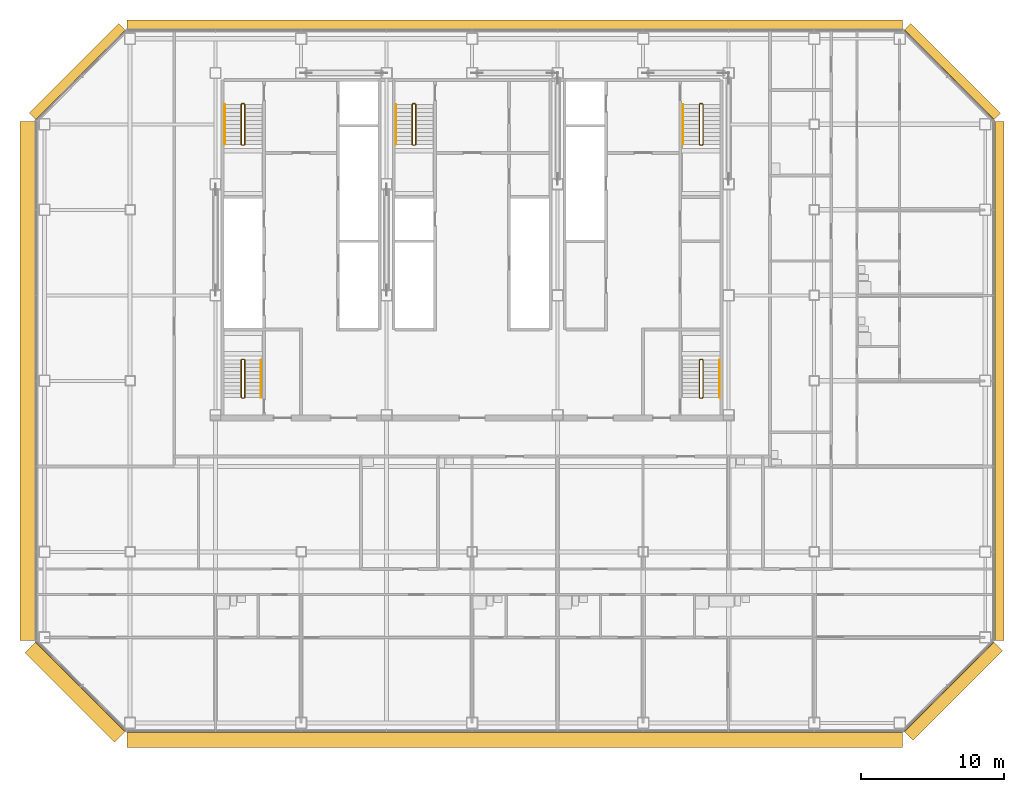
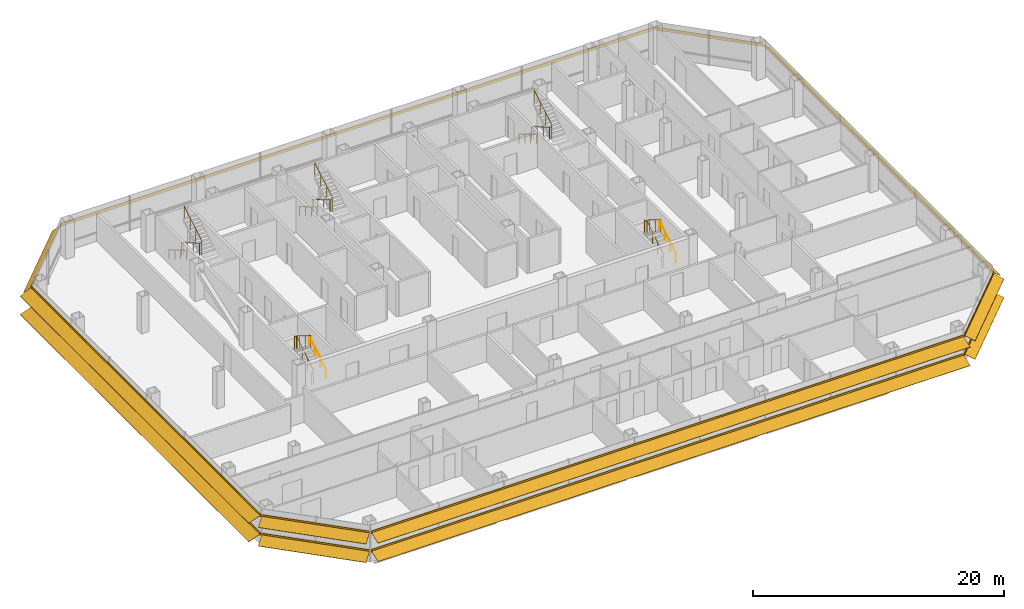
# One storey, part 25 of 26: 10 railings, 8 shading devices.
"""IFC4 building model written with IfcOpenShell, lengths in metres."""

from ifc_helpers import new_model, si_unit, direction, frame, origin, origin_2d, place, context, subcontext, project, spatial, polyline, circle, outline, composite_profile, extrude, material, type_object, element, save


model = new_model("IFC4")

# Units and contexts
model_context = context("Model", 3, precision=1e-05, world=origin(), true_north=direction((0.0, 1.0)))
body_context = subcontext(model_context, "Body", "Model", "MODEL_VIEW")
ifc_project = project(units=[si_unit("LENGTHUNIT", "METRE"), si_unit("AREAUNIT", "SQUARE_METRE"), si_unit("VOLUMEUNIT", "CUBIC_METRE"), si_unit("PLANEANGLEUNIT", "RADIAN"), si_unit("MASSUNIT", "GRAM", prefix="KILO")], contexts=[model_context])

# Site, building, storey
site_placement = place(None, origin())
site = spatial("IfcSite", under=ifc_project, at=site_placement, CompositionType="ELEMENT")
building_placement = place(site_placement, origin())
building = spatial("IfcBuilding", under=site, at=building_placement, Name="Sorahane Residences", CompositionType="ELEMENT")
storey_placement = place(building_placement, frame((0.0, 0.0, 110.60009765625)))
storey = spatial("IfcBuildingStorey", under=building, at=storey_placement, Name="L24", CompositionType="ELEMENT", Elevation=110.60009765625)

# Shading devices
ifc_material_1 = material(Name="Terracotta anodised aluminium", Category="masonry")
shading_device_type_1 = type_object("IfcShadingDeviceType", Name="Louvre sunshade blade E terracotta aluminium 700", PredefinedType="JALOUSIE", material=ifc_material_1)
shading_device_1_placement = place(storey_placement, frame((60.60009765625, 5.801513671875, 2.699951171875), z_axis=(0.0, 1.0, 0.0), x_axis=(-1.0, 0.0, 0.0)))
element("IfcShadingDevice", 1, at=shading_device_1_placement, inside=storey, type_object=shading_device_type_1, Name="Louvre sunshade blade bank E L24 E1", PredefinedType="JALOUSIE", context=body_context, shape_type="SweptSolid", body=[
    extrude(outline(polyline([(-0.719970703125, -0.49365234375), (-0.719970703125, -0.523681640625), (-0.080078125, -0.05859375), (-0.080078125, -0.14990234375), (-0.02001953125, -0.14990234375), (-0.02001953125, -0.014892578125), (-0.02001953125, 0.014892578125), (-0.02001953125, 0.14990234375), (-0.080078125, 0.14990234375), (-0.080078125, -0.028564453125), (-0.719970703125, -0.49365234375)])), origin(), (0.0, 0.0, 1.0), 36.39697265625),
])
ifc_material_2 = material(Name="Terracotta anodised aluminium", Category="masonry")
shading_device_type_2 = type_object("IfcShadingDeviceType", Name="Louvre sunshade blade N terracotta aluminium 700", PredefinedType="JALOUSIE", material=ifc_material_2)
shading_device_2_placement = place(storey_placement, frame((54.198486328125, 48.60009765625, 2.699951171875), z_axis=(-1.0, 0.0, 0.0), x_axis=(0.0, -1.0, 0.0)))
element("IfcShadingDevice", 2, at=shading_device_2_placement, inside=storey, type_object=shading_device_type_2, Name="Louvre sunshade blade bank N L24 N1", PredefinedType="JALOUSIE", context=body_context, shape_type="SweptSolid", body=[
    extrude(outline(polyline([(-0.719970703125, -0.660888671875), (-0.719970703125, -0.69091796875), (-0.080078125, -0.072998046875), (-0.080078125, -0.14990234375), (-0.02001953125, -0.14990234375), (-0.02001953125, -0.014892578125), (-0.02001953125, 0.014892578125), (-0.02001953125, 0.14990234375), (-0.080078125, 0.14990234375), (-0.080078125, -0.04296875), (-0.719970703125, -0.660888671875)])), origin(), (0.0, 0.0, 1.0), 54.39697265625),
])
ifc_material_3 = material(Name="Terracotta anodised aluminium", Category="masonry")
shading_device_type_3 = type_object("IfcShadingDeviceType", Name="Louvre sunshade blade NE terracotta aluminium 700", PredefinedType="JALOUSIE", material=ifc_material_3)
shading_device_3_placement = place(storey_placement, frame((60.564697265625, 42.283935546875, 2.699951171875), z_axis=(-0.707106781187, 0.707106781187, 0.0), x_axis=(-0.707106781187, -0.707106781187, 0.0)))
element("IfcShadingDevice", 3, at=shading_device_3_placement, inside=storey, type_object=shading_device_type_3, Name="Louvre sunshade blade bank NE L24 NE1", PredefinedType="JALOUSIE", context=body_context, shape_type="SweptSolid", body=[
    extrude(outline(polyline([(-0.719970703125, -0.572509765625), (-0.719970703125, -0.602294921875), (-0.080078125, -0.065185546875), (-0.080078125, -0.14990234375), (-0.02001953125, -0.14990234375), (-0.02001953125, -0.014892578125), (-0.02001953125, 0.014892578125), (-0.02001953125, 0.14990234375), (-0.080078125, 0.14990234375), (-0.080078125, -0.035400390625), (-0.719970703125, -0.572509765625)])), origin(), (0.0, 0.0, 1.0), 8.88232421875),
])
ifc_material_4 = material(Name="Terracotta anodised aluminium", Category="masonry")
shading_device_type_4 = type_object("IfcShadingDeviceType", Name="Louvre sunshade blade NW terracotta aluminium 700", PredefinedType="JALOUSIE", material=ifc_material_4)
shading_device_4_placement = place(storey_placement, frame((-0.283935546875, 48.564697265625, 2.699951171875), z_axis=(-0.707106781187, -0.707106781187, 0.0), x_axis=(0.707106781187, -0.707106781187, 0.0)))
element("IfcShadingDevice", 4, at=shading_device_4_placement, inside=storey, type_object=shading_device_type_4, Name="Louvre sunshade blade bank NW L24 NW1", PredefinedType="JALOUSIE", context=body_context, shape_type="SweptSolid", body=[
    extrude(outline(polyline([(-0.719970703125, -0.660888671875), (-0.719970703125, -0.69091796875), (-0.080078125, -0.072998046875), (-0.080078125, -0.14990234375), (-0.02001953125, -0.14990234375), (-0.02001953125, -0.014892578125), (-0.02001953125, 0.014892578125), (-0.02001953125, 0.14990234375), (-0.080078125, 0.14990234375), (-0.080078125, -0.04296875), (-0.719970703125, -0.660888671875)])), origin(), (0.0, 0.0, 1.0), 8.88232421875),
])
ifc_material_5 = material(Name="Terracotta anodised aluminium", Category="masonry")
shading_device_type_5 = type_object("IfcShadingDeviceType", Name="Louvre sunshade blade S terracotta aluminium 1100", PredefinedType="JALOUSIE", material=ifc_material_5)
shading_device_5_placement = place(storey_placement, frame((-0.198486328125, -0.60009765625, 0.89990234375), z_axis=(1.0, 0.0, 0.0), x_axis=(0.0, 1.0, 0.0)))
element("IfcShadingDevice", 5, at=shading_device_5_placement, inside=storey, type_object=shading_device_type_5, Name="Louvre sunshade blade bank S L24 S1", PredefinedType="JALOUSIE", context=body_context, shape_type="SweptSolid", body=[
    extrude(composite_profile([outline(polyline([(-1.1201171875, -0.385498046875), (-1.1201171875, -0.415283203125), (-0.080078125, -0.036865234375), (-0.080078125, -0.14990234375), (-0.02001953125, -0.14990234375), (-0.02001953125, -0.014892578125), (-0.02001953125, 0.014892578125), (-0.02001953125, 0.14990234375), (-0.080078125, 0.14990234375), (-0.080078125, -0.0068359375), (-1.1201171875, -0.385498046875)])), outline(polyline([(-1.1201171875, 1.41455078125), (-1.1201171875, 1.384521484375), (-0.080078125, 1.76318359375), (-0.080078125, 1.64990234375), (-0.02001953125, 1.64990234375), (-0.02001953125, 1.784912109375), (-0.02001953125, 1.81494140625), (-0.02001953125, 1.949951171875), (-0.080078125, 1.949951171875), (-0.080078125, 1.793212890625), (-1.1201171875, 1.41455078125)]))]), origin(), (0.0, 0.0, 1.0), 54.39697265625),
])
ifc_material_6 = material(Name="Terracotta anodised aluminium", Category="masonry")
shading_device_type_6 = type_object("IfcShadingDeviceType", Name="Louvre sunshade blade SE terracotta aluminium 900", PredefinedType="JALOUSIE", material=ifc_material_6)
shading_device_6_placement = place(storey_placement, frame((54.283935546875, -0.564697265625, 0.89990234375), z_axis=(0.707106781187, 0.707106781187, 0.0), x_axis=(-0.707106781187, 0.707106781187, 0.0)))
element("IfcShadingDevice", 6, at=shading_device_6_placement, inside=storey, type_object=shading_device_type_6, Name="Louvre sunshade blade bank SE L24 SE1", PredefinedType="JALOUSIE", context=body_context, shape_type="SweptSolid", body=[
    extrude(composite_profile([outline(polyline([(-0.919921875, -0.3486328125), (-0.919921875, -0.378662109375), (-0.080078125, -0.039306640625), (-0.080078125, -0.14990234375), (-0.02001953125, -0.14990234375), (-0.02001953125, -0.014892578125), (-0.02001953125, 0.014892578125), (-0.02001953125, 0.14990234375), (-0.080078125, 0.14990234375), (-0.080078125, -0.00927734375), (-0.919921875, -0.3486328125)])), outline(polyline([(-0.919921875, 1.451416015625), (-0.919921875, 1.42138671875), (-0.080078125, 1.7607421875), (-0.080078125, 1.64990234375), (-0.02001953125, 1.64990234375), (-0.02001953125, 1.784912109375), (-0.02001953125, 1.81494140625), (-0.02001953125, 1.949951171875), (-0.080078125, 1.949951171875), (-0.080078125, 1.790771484375), (-0.919921875, 1.451416015625)]))]), origin(), (0.0, 0.0, 1.0), 8.88232421875),
])
ifc_material_7 = material(Name="Terracotta anodised aluminium", Category="masonry")
shading_device_type_7 = type_object("IfcShadingDeviceType", Name="Louvre sunshade blade SW terracotta aluminium 1100", PredefinedType="JALOUSIE", material=ifc_material_7)
shading_device_7_placement = place(storey_placement, frame((-6.564697265625, 5.716064453125, 0.89990234375), z_axis=(0.707106781187, -0.707106781187, 0.0), x_axis=(0.707106781187, 0.707106781187, 0.0)))
element("IfcShadingDevice", 7, at=shading_device_7_placement, inside=storey, type_object=shading_device_type_7, Name="Louvre sunshade blade bank SW L24 SW1", PredefinedType="JALOUSIE", context=body_context, shape_type="SweptSolid", body=[
    extrude(composite_profile([outline(polyline([(-1.1201171875, -0.385498046875), (-1.1201171875, -0.415283203125), (-0.080078125, -0.036865234375), (-0.080078125, -0.14990234375), (-0.02001953125, -0.14990234375), (-0.02001953125, -0.014892578125), (-0.02001953125, 0.014892578125), (-0.02001953125, 0.14990234375), (-0.080078125, 0.14990234375), (-0.080078125, -0.0068359375), (-1.1201171875, -0.385498046875)])), outline(polyline([(-1.1201171875, 1.41455078125), (-1.1201171875, 1.384521484375), (-0.080078125, 1.76318359375), (-0.080078125, 1.64990234375), (-0.02001953125, 1.64990234375), (-0.02001953125, 1.784912109375), (-0.02001953125, 1.81494140625), (-0.02001953125, 1.949951171875), (-0.080078125, 1.949951171875), (-0.080078125, 1.793212890625), (-1.1201171875, 1.41455078125)]))]), origin(), (0.0, 0.0, 1.0), 8.88232421875),
])
ifc_material_8 = material(Name="Terracotta anodised aluminium", Category="masonry")
shading_device_type_8 = type_object("IfcShadingDeviceType", Name="Louvre sunshade blade W terracotta aluminium 1100", PredefinedType="JALOUSIE", material=ifc_material_8)
shading_device_8_placement = place(storey_placement, frame((-6.60009765625, 42.198486328125, 0.89990234375), z_axis=(0.0, -1.0, 0.0), x_axis=(1.0, 0.0, 0.0)))
element("IfcShadingDevice", 8, at=shading_device_8_placement, inside=storey, type_object=shading_device_type_8, Name="Louvre sunshade blade bank W L24 W1", PredefinedType="JALOUSIE", context=body_context, shape_type="SweptSolid", body=[
    extrude(composite_profile([outline(polyline([(-1.1201171875, -0.385498046875), (-1.1201171875, -0.415283203125), (-0.080078125, -0.036865234375), (-0.080078125, -0.14990234375), (-0.02001953125, -0.14990234375), (-0.02001953125, -0.014892578125), (-0.02001953125, 0.014892578125), (-0.02001953125, 0.14990234375), (-0.080078125, 0.14990234375), (-0.080078125, -0.0068359375), (-1.1201171875, -0.385498046875)])), outline(polyline([(-1.1201171875, 1.41455078125), (-1.1201171875, 1.384521484375), (-0.080078125, 1.76318359375), (-0.080078125, 1.64990234375), (-0.02001953125, 1.64990234375), (-0.02001953125, 1.784912109375), (-0.02001953125, 1.81494140625), (-0.02001953125, 1.949951171875), (-0.080078125, 1.949951171875), (-0.080078125, 1.793212890625), (-1.1201171875, 1.41455078125)]))]), origin(), (0.0, 0.0, 1.0), 36.39697265625),
])

# Railings
ifc_material_9 = material(Name="Steel Q355B", Category="steel")
railing_type_1 = type_object("IfcRailingType", Name="Stair guard 1200 Steel Q355B", PredefinedType="GUARDRAIL", material=ifc_material_9)
railing_1_placement = place(storey_placement, frame((8.0, 43.449951171875, 0.0)))
element("IfcRailing", 9, at=railing_1_placement, inside=storey, type_object=railing_type_1, Name="L24 S1 stair guard 1", PredefinedType="GUARDRAIL", context=body_context, shape_type="SweptSolid", body=[
    extrude(circle(Radius=0.02392578125, at=origin_2d()), frame((0.0, 0.0, 1.17578125), z_axis=(-1.0, 0.0, 0.0), x_axis=(0.0, -1.0, 0.0)), (0.0, 0.0, 1.0), 0.14990234375),
    extrude(circle(Radius=0.02392578125, at=origin_2d()), frame((-0.14990234375, 0.0, 1.17578125), z_axis=(-0.280808744504, -0.280808744504, 0.917765164963), x_axis=(0.707106781187, -0.707106781187, 0.0)), (0.0, 0.0, 1.0), 0.17822265625),
    extrude(circle(Radius=0.02392578125, at=origin_2d()), frame((-0.199951171875, -0.050048828125, 1.33935546875), z_axis=(0.0, -0.863374499697, 0.504563646405), x_axis=(1.0, 0.0, 0.0)), (0.0, 0.0, 1.0), 3.242919921875),
    extrude(circle(Radius=0.02392578125, at=origin_2d()), frame((-0.199951171875, -2.849853515625, 2.9755859375), z_axis=(0.707106781187, -0.707106781187, 0.0), x_axis=(0.707106781187, 0.707106781187, 0.0)), (0.0, 0.0, 1.0), 0.07080078125),
    extrude(circle(Radius=0.02392578125, at=origin_2d()), frame((-0.14990234375, -2.89990234375, 2.9755859375), z_axis=(1.0, 0.0, 0.0), x_axis=(0.0, 1.0, 0.0)), (0.0, 0.0, 1.0), 0.14990234375),
    extrude(circle(Radius=0.02392578125, at=origin_2d()), frame((0.0, -2.89990234375, 2.9755859375), z_axis=(0.280456126637, 0.280456126637, 0.917980785237), x_axis=(-0.707106781187, 0.707106781187, 0.0)), (0.0, 0.0, 1.0), 0.178466796875),
    extrude(circle(Radius=0.02392578125, at=origin_2d()), frame((0.050048828125, -2.849853515625, 3.1396484375), z_axis=(0.0, 0.863374499697, 0.504563646405), x_axis=(-1.0, 0.0, 0.0)), (0.0, 0.0, 1.0), 3.242919921875),
    extrude(circle(Radius=0.02099609375, at=origin_2d()), origin(), (0.0, 0.0, 1.0), 1.15185546875),
    extrude(circle(Radius=0.02099609375, at=origin_2d()), frame((-0.14990234375, 0.0, 0.0)), (0.0, 0.0, 1.0), 1.15185546875),
    extrude(circle(Radius=0.02099609375, at=origin_2d()), frame((-0.199951171875, -0.050048828125, 0.16357421875)), (0.0, 0.0, 1.0), 1.15185546875),
    extrude(circle(Radius=0.02099609375, at=origin_2d()), frame((-0.199951171875, -0.9833984375, 0.708984375)), (0.0, 0.0, 1.0), 1.15185546875),
    extrude(circle(Radius=0.02099609375, at=origin_2d()), frame((-0.199951171875, -1.91650390625, 1.25439453125)), (0.0, 0.0, 1.0), 1.15185546875),
    extrude(circle(Radius=0.02099609375, at=origin_2d()), frame((-0.199951171875, -2.849853515625, 1.7998046875)), (0.0, 0.0, 1.0), 1.15185546875),
    extrude(circle(Radius=0.02099609375, at=origin_2d()), frame((-0.14990234375, -2.89990234375, 1.7998046875)), (0.0, 0.0, 1.0), 1.15185546875),
    extrude(circle(Radius=0.02099609375, at=origin_2d()), frame((0.0, -2.89990234375, 1.7998046875)), (0.0, 0.0, 1.0), 1.15185546875),
    extrude(circle(Radius=0.02099609375, at=origin_2d()), frame((0.050048828125, -2.849853515625, 1.963623046875)), (0.0, 0.0, 1.0), 1.15185546875),
    extrude(circle(Radius=0.02099609375, at=origin_2d()), frame((0.050048828125, -1.91650390625, 2.509033203125)), (0.0, 0.0, 1.0), 1.15185546875),
    extrude(circle(Radius=0.02099609375, at=origin_2d()), frame((0.050048828125, -0.9833984375, 3.054443359375)), (0.0, 0.0, 1.0), 1.15185546875),
    extrude(circle(Radius=0.02099609375, at=origin_2d()), frame((0.050048828125, -0.050048828125, 3.599853515625)), (0.0, 0.0, 1.0), 1.15185546875),
])
railing_2_placement = place(storey_placement, frame((40.14990234375, 43.449951171875, 0.0)))
element("IfcRailing", 10, at=railing_2_placement, inside=storey, type_object=railing_type_1, Name="L24 S2 stair guard 1", PredefinedType="GUARDRAIL", context=body_context, shape_type="SweptSolid", body=[
    extrude(circle(Radius=0.02392578125, at=origin_2d()), frame((0.0, 0.0, 1.17578125), z_axis=(-1.0, 0.0, 0.0), x_axis=(0.0, -1.0, 0.0)), (0.0, 0.0, 1.0), 0.14990234375),
    extrude(circle(Radius=0.02392578125, at=origin_2d()), frame((-0.14990234375, 0.0, 1.17578125), z_axis=(-0.280808744504, -0.280808744504, 0.917765164963), x_axis=(0.707106781187, -0.707106781187, 0.0)), (0.0, 0.0, 1.0), 0.17822265625),
    extrude(circle(Radius=0.02392578125, at=origin_2d()), frame((-0.199951171875, -0.050048828125, 1.33935546875), z_axis=(0.0, -0.863374499697, 0.504563646405), x_axis=(1.0, 0.0, 0.0)), (0.0, 0.0, 1.0), 3.242919921875),
    extrude(circle(Radius=0.02392578125, at=origin_2d()), frame((-0.199951171875, -2.849853515625, 2.9755859375), z_axis=(0.707106781187, -0.707106781187, 0.0), x_axis=(0.707106781187, 0.707106781187, 0.0)), (0.0, 0.0, 1.0), 0.07080078125),
    extrude(circle(Radius=0.02392578125, at=origin_2d()), frame((-0.14990234375, -2.89990234375, 2.9755859375), z_axis=(1.0, 0.0, 0.0), x_axis=(0.0, 1.0, 0.0)), (0.0, 0.0, 1.0), 0.14990234375),
    extrude(circle(Radius=0.02392578125, at=origin_2d()), frame((0.0, -2.89990234375, 2.9755859375), z_axis=(0.280456126637, 0.280456126637, 0.917980785237), x_axis=(-0.707106781187, 0.707106781187, 0.0)), (0.0, 0.0, 1.0), 0.178466796875),
    extrude(circle(Radius=0.02392578125, at=origin_2d()), frame((0.050048828125, -2.849853515625, 3.1396484375), z_axis=(0.0, 0.863374499697, 0.504563646405), x_axis=(-1.0, 0.0, 0.0)), (0.0, 0.0, 1.0), 3.242919921875),
    extrude(circle(Radius=0.02099609375, at=origin_2d()), origin(), (0.0, 0.0, 1.0), 1.15185546875),
    extrude(circle(Radius=0.02099609375, at=origin_2d()), frame((-0.14990234375, 0.0, 0.0)), (0.0, 0.0, 1.0), 1.15185546875),
    extrude(circle(Radius=0.02099609375, at=origin_2d()), frame((-0.199951171875, -0.050048828125, 0.16357421875)), (0.0, 0.0, 1.0), 1.15185546875),
    extrude(circle(Radius=0.02099609375, at=origin_2d()), frame((-0.199951171875, -0.9833984375, 0.708984375)), (0.0, 0.0, 1.0), 1.15185546875),
    extrude(circle(Radius=0.02099609375, at=origin_2d()), frame((-0.199951171875, -1.91650390625, 1.25439453125)), (0.0, 0.0, 1.0), 1.15185546875),
    extrude(circle(Radius=0.02099609375, at=origin_2d()), frame((-0.199951171875, -2.849853515625, 1.7998046875)), (0.0, 0.0, 1.0), 1.15185546875),
    extrude(circle(Radius=0.02099609375, at=origin_2d()), frame((-0.14990234375, -2.89990234375, 1.7998046875)), (0.0, 0.0, 1.0), 1.15185546875),
    extrude(circle(Radius=0.02099609375, at=origin_2d()), frame((0.0, -2.89990234375, 1.7998046875)), (0.0, 0.0, 1.0), 1.15185546875),
    extrude(circle(Radius=0.02099609375, at=origin_2d()), frame((0.050048828125, -2.849853515625, 1.963623046875)), (0.0, 0.0, 1.0), 1.15185546875),
    extrude(circle(Radius=0.02099609375, at=origin_2d()), frame((0.050048828125, -1.91650390625, 2.509033203125)), (0.0, 0.0, 1.0), 1.15185546875),
    extrude(circle(Radius=0.02099609375, at=origin_2d()), frame((0.050048828125, -0.9833984375, 3.054443359375)), (0.0, 0.0, 1.0), 1.15185546875),
    extrude(circle(Radius=0.02099609375, at=origin_2d()), frame((0.050048828125, -0.050048828125, 3.599853515625)), (0.0, 0.0, 1.0), 1.15185546875),
])
railing_3_placement = place(storey_placement, frame((20.0, 43.449951171875, 0.0)))
element("IfcRailing", 11, at=railing_3_placement, inside=storey, type_object=railing_type_1, Name="L24 S3 stair guard 1", PredefinedType="GUARDRAIL", context=body_context, shape_type="SweptSolid", body=[
    extrude(circle(Radius=0.02392578125, at=origin_2d()), frame((0.0, 0.0, 1.17578125), z_axis=(-1.0, 0.0, 0.0), x_axis=(0.0, -1.0, 0.0)), (0.0, 0.0, 1.0), 0.14990234375),
    extrude(circle(Radius=0.02392578125, at=origin_2d()), frame((-0.14990234375, 0.0, 1.17578125), z_axis=(-0.280808744504, -0.280808744504, 0.917765164963), x_axis=(0.707106781187, -0.707106781187, 0.0)), (0.0, 0.0, 1.0), 0.17822265625),
    extrude(circle(Radius=0.02392578125, at=origin_2d()), frame((-0.199951171875, -0.050048828125, 1.33935546875), z_axis=(0.0, -0.863374499697, 0.504563646405), x_axis=(1.0, 0.0, 0.0)), (0.0, 0.0, 1.0), 3.242919921875),
    extrude(circle(Radius=0.02392578125, at=origin_2d()), frame((-0.199951171875, -2.849853515625, 2.9755859375), z_axis=(0.707106781187, -0.707106781187, 0.0), x_axis=(0.707106781187, 0.707106781187, 0.0)), (0.0, 0.0, 1.0), 0.07080078125),
    extrude(circle(Radius=0.02392578125, at=origin_2d()), frame((-0.14990234375, -2.89990234375, 2.9755859375), z_axis=(1.0, 0.0, 0.0), x_axis=(0.0, 1.0, 0.0)), (0.0, 0.0, 1.0), 0.14990234375),
    extrude(circle(Radius=0.02392578125, at=origin_2d()), frame((0.0, -2.89990234375, 2.9755859375), z_axis=(0.280456126637, 0.280456126637, 0.917980785237), x_axis=(-0.707106781187, 0.707106781187, 0.0)), (0.0, 0.0, 1.0), 0.178466796875),
    extrude(circle(Radius=0.02392578125, at=origin_2d()), frame((0.050048828125, -2.849853515625, 3.1396484375), z_axis=(0.0, 0.863374499697, 0.504563646405), x_axis=(-1.0, 0.0, 0.0)), (0.0, 0.0, 1.0), 3.242919921875),
    extrude(circle(Radius=0.02099609375, at=origin_2d()), origin(), (0.0, 0.0, 1.0), 1.15185546875),
    extrude(circle(Radius=0.02099609375, at=origin_2d()), frame((-0.14990234375, 0.0, 0.0)), (0.0, 0.0, 1.0), 1.15185546875),
    extrude(circle(Radius=0.02099609375, at=origin_2d()), frame((-0.199951171875, -0.050048828125, 0.16357421875)), (0.0, 0.0, 1.0), 1.15185546875),
    extrude(circle(Radius=0.02099609375, at=origin_2d()), frame((-0.199951171875, -0.9833984375, 0.708984375)), (0.0, 0.0, 1.0), 1.15185546875),
    extrude(circle(Radius=0.02099609375, at=origin_2d()), frame((-0.199951171875, -1.91650390625, 1.25439453125)), (0.0, 0.0, 1.0), 1.15185546875),
    extrude(circle(Radius=0.02099609375, at=origin_2d()), frame((-0.199951171875, -2.849853515625, 1.7998046875)), (0.0, 0.0, 1.0), 1.15185546875),
    extrude(circle(Radius=0.02099609375, at=origin_2d()), frame((-0.14990234375, -2.89990234375, 1.7998046875)), (0.0, 0.0, 1.0), 1.15185546875),
    extrude(circle(Radius=0.02099609375, at=origin_2d()), frame((0.0, -2.89990234375, 1.7998046875)), (0.0, 0.0, 1.0), 1.15185546875),
    extrude(circle(Radius=0.02099609375, at=origin_2d()), frame((0.050048828125, -2.849853515625, 1.963623046875)), (0.0, 0.0, 1.0), 1.15185546875),
    extrude(circle(Radius=0.02099609375, at=origin_2d()), frame((0.050048828125, -1.91650390625, 2.509033203125)), (0.0, 0.0, 1.0), 1.15185546875),
    extrude(circle(Radius=0.02099609375, at=origin_2d()), frame((0.050048828125, -0.9833984375, 3.054443359375)), (0.0, 0.0, 1.0), 1.15185546875),
    extrude(circle(Radius=0.02099609375, at=origin_2d()), frame((0.050048828125, -0.050048828125, 3.599853515625)), (0.0, 0.0, 1.0), 1.15185546875),
])
railing_4_placement = place(storey_placement, frame((7.85009765625, 22.800048828125, 0.0)))
element("IfcRailing", 12, at=railing_4_placement, inside=storey, type_object=railing_type_1, Name="L24 S4 stair guard 1", PredefinedType="GUARDRAIL", context=body_context, shape_type="SweptSolid", body=[
    extrude(circle(Radius=0.02392578125, at=origin_2d()), frame((0.0, 0.0, 1.17578125), z_axis=(1.0, 0.0, 0.0), x_axis=(0.0, 1.0, 0.0)), (0.0, 0.0, 1.0), 0.14990234375),
    extrude(circle(Radius=0.02392578125, at=origin_2d()), frame((0.14990234375, 0.0, 1.17578125), z_axis=(0.280808744504, 0.280808744504, 0.917765164963), x_axis=(-0.707106781187, 0.707106781187, 0.0)), (0.0, 0.0, 1.0), 0.17822265625),
    extrude(circle(Radius=0.02392578125, at=origin_2d()), frame((0.199951171875, 0.050048828125, 1.33935546875), z_axis=(0.0, 0.846337672412, 0.532646734952), x_axis=(-1.0, 0.0, 0.0)), (0.0, 0.0, 1.0), 3.07177734375),
    extrude(circle(Radius=0.02392578125, at=origin_2d()), frame((0.199951171875, 2.64990234375, 2.9755859375), z_axis=(-0.707106781187, 0.707106781187, 0.0), x_axis=(-0.707106781187, -0.707106781187, 0.0)), (0.0, 0.0, 1.0), 0.07080078125),
    extrude(circle(Radius=0.02392578125, at=origin_2d()), frame((0.14990234375, 2.699951171875, 2.9755859375), z_axis=(-1.0, 0.0, 0.0), x_axis=(0.0, -1.0, 0.0)), (0.0, 0.0, 1.0), 0.14990234375),
    extrude(circle(Radius=0.02392578125, at=origin_2d()), frame((0.0, 2.699951171875, 2.9755859375), z_axis=(-0.280456126637, -0.280456126637, 0.917980785237), x_axis=(0.707106781187, -0.707106781187, 0.0)), (0.0, 0.0, 1.0), 0.178466796875),
    extrude(circle(Radius=0.02392578125, at=origin_2d()), frame((-0.050048828125, 2.64990234375, 3.1396484375), z_axis=(0.0, -0.846337672412, 0.532646734952), x_axis=(1.0, 0.0, 0.0)), (0.0, 0.0, 1.0), 3.07177734375),
    extrude(circle(Radius=0.02099609375, at=origin_2d()), origin(), (0.0, 0.0, 1.0), 1.15185546875),
    extrude(circle(Radius=0.02099609375, at=origin_2d()), frame((0.14990234375, 0.0, 0.0)), (0.0, 0.0, 1.0), 1.15185546875),
    extrude(circle(Radius=0.02099609375, at=origin_2d()), frame((0.199951171875, 0.050048828125, 0.16357421875)), (0.0, 0.0, 1.0), 1.15185546875),
    extrude(circle(Radius=0.02099609375, at=origin_2d()), frame((0.199951171875, 0.916748046875, 0.708984375)), (0.0, 0.0, 1.0), 1.15185546875),
    extrude(circle(Radius=0.02099609375, at=origin_2d()), frame((0.199951171875, 1.783203125, 1.25439453125)), (0.0, 0.0, 1.0), 1.15185546875),
    extrude(circle(Radius=0.02099609375, at=origin_2d()), frame((0.199951171875, 2.64990234375, 1.7998046875)), (0.0, 0.0, 1.0), 1.15185546875),
    extrude(circle(Radius=0.02099609375, at=origin_2d()), frame((0.14990234375, 2.699951171875, 1.7998046875)), (0.0, 0.0, 1.0), 1.15185546875),
    extrude(circle(Radius=0.02099609375, at=origin_2d()), frame((0.0, 2.699951171875, 1.7998046875)), (0.0, 0.0, 1.0), 1.15185546875),
    extrude(circle(Radius=0.02099609375, at=origin_2d()), frame((-0.050048828125, 2.64990234375, 1.963623046875)), (0.0, 0.0, 1.0), 1.15185546875),
    extrude(circle(Radius=0.02099609375, at=origin_2d()), frame((-0.050048828125, 1.783203125, 2.509033203125)), (0.0, 0.0, 1.0), 1.15185546875),
    extrude(circle(Radius=0.02099609375, at=origin_2d()), frame((-0.050048828125, 0.916748046875, 3.054443359375)), (0.0, 0.0, 1.0), 1.15185546875),
    extrude(circle(Radius=0.02099609375, at=origin_2d()), frame((-0.050048828125, 0.050048828125, 3.599853515625)), (0.0, 0.0, 1.0), 1.15185546875),
])
railing_5_placement = place(storey_placement, frame((40.0, 22.800048828125, 0.0)))
element("IfcRailing", 13, at=railing_5_placement, inside=storey, type_object=railing_type_1, Name="L24 S5 stair guard 1", PredefinedType="GUARDRAIL", context=body_context, shape_type="SweptSolid", body=[
    extrude(circle(Radius=0.02392578125, at=origin_2d()), frame((0.0, 0.0, 1.17578125), z_axis=(1.0, 0.0, 0.0), x_axis=(0.0, 1.0, 0.0)), (0.0, 0.0, 1.0), 0.14990234375),
    extrude(circle(Radius=0.02392578125, at=origin_2d()), frame((0.14990234375, 0.0, 1.17578125), z_axis=(0.280808744504, 0.280808744504, 0.917765164963), x_axis=(-0.707106781187, 0.707106781187, 0.0)), (0.0, 0.0, 1.0), 0.17822265625),
    extrude(circle(Radius=0.02392578125, at=origin_2d()), frame((0.199951171875, 0.050048828125, 1.33935546875), z_axis=(0.0, 0.846337672412, 0.532646734952), x_axis=(-1.0, 0.0, 0.0)), (0.0, 0.0, 1.0), 3.07177734375),
    extrude(circle(Radius=0.02392578125, at=origin_2d()), frame((0.199951171875, 2.64990234375, 2.9755859375), z_axis=(-0.707106781187, 0.707106781187, 0.0), x_axis=(-0.707106781187, -0.707106781187, 0.0)), (0.0, 0.0, 1.0), 0.07080078125),
    extrude(circle(Radius=0.02392578125, at=origin_2d()), frame((0.14990234375, 2.699951171875, 2.9755859375), z_axis=(-1.0, 0.0, 0.0), x_axis=(0.0, -1.0, 0.0)), (0.0, 0.0, 1.0), 0.14990234375),
    extrude(circle(Radius=0.02392578125, at=origin_2d()), frame((0.0, 2.699951171875, 2.9755859375), z_axis=(-0.280456126637, -0.280456126637, 0.917980785237), x_axis=(0.707106781187, -0.707106781187, 0.0)), (0.0, 0.0, 1.0), 0.178466796875),
    extrude(circle(Radius=0.02392578125, at=origin_2d()), frame((-0.050048828125, 2.64990234375, 3.1396484375), z_axis=(0.0, -0.846337672412, 0.532646734952), x_axis=(1.0, 0.0, 0.0)), (0.0, 0.0, 1.0), 3.07177734375),
    extrude(circle(Radius=0.02099609375, at=origin_2d()), origin(), (0.0, 0.0, 1.0), 1.15185546875),
    extrude(circle(Radius=0.02099609375, at=origin_2d()), frame((0.14990234375, 0.0, 0.0)), (0.0, 0.0, 1.0), 1.15185546875),
    extrude(circle(Radius=0.02099609375, at=origin_2d()), frame((0.199951171875, 0.050048828125, 0.16357421875)), (0.0, 0.0, 1.0), 1.15185546875),
    extrude(circle(Radius=0.02099609375, at=origin_2d()), frame((0.199951171875, 0.916748046875, 0.708984375)), (0.0, 0.0, 1.0), 1.15185546875),
    extrude(circle(Radius=0.02099609375, at=origin_2d()), frame((0.199951171875, 1.783203125, 1.25439453125)), (0.0, 0.0, 1.0), 1.15185546875),
    extrude(circle(Radius=0.02099609375, at=origin_2d()), frame((0.199951171875, 2.64990234375, 1.7998046875)), (0.0, 0.0, 1.0), 1.15185546875),
    extrude(circle(Radius=0.02099609375, at=origin_2d()), frame((0.14990234375, 2.699951171875, 1.7998046875)), (0.0, 0.0, 1.0), 1.15185546875),
    extrude(circle(Radius=0.02099609375, at=origin_2d()), frame((0.0, 2.699951171875, 1.7998046875)), (0.0, 0.0, 1.0), 1.15185546875),
    extrude(circle(Radius=0.02099609375, at=origin_2d()), frame((-0.050048828125, 2.64990234375, 1.963623046875)), (0.0, 0.0, 1.0), 1.15185546875),
    extrude(circle(Radius=0.02099609375, at=origin_2d()), frame((-0.050048828125, 1.783203125, 2.509033203125)), (0.0, 0.0, 1.0), 1.15185546875),
    extrude(circle(Radius=0.02099609375, at=origin_2d()), frame((-0.050048828125, 0.916748046875, 3.054443359375)), (0.0, 0.0, 1.0), 1.15185546875),
    extrude(circle(Radius=0.02099609375, at=origin_2d()), frame((-0.050048828125, 0.050048828125, 3.599853515625)), (0.0, 0.0, 1.0), 1.15185546875),
])
ifc_material_10 = material(Name="Steel Q355B", Category="steel")
railing_type_2 = type_object("IfcRailingType", Name="Stair handrail 900 Steel Q355B", PredefinedType="HANDRAIL", material=ifc_material_10)
for number, where, name in (
    (14, (6.64990234375, 43.39990234375, 0.16357421875), "L24 S1 stair handrail 1"),
    (15, (38.800048828125, 43.39990234375, 0.16357421875), "L24 S2 stair handrail 1"),
    (16, (18.64990234375, 43.39990234375, 0.16357421875), "L24 S3 stair handrail 1"),
):
    element("IfcRailing", number, at=place(storey_placement, frame(where)), inside=storey, type_object=railing_type_2, Name=name, PredefinedType="HANDRAIL", context=body_context, shape_type="SweptSolid", body=[
        extrude(circle(Radius=0.02392578125, at=origin_2d()), frame((0.0, 0.0, 0.8759765625), z_axis=(0.0, -0.863374499697, 0.504563646405), x_axis=(1.0, 0.0, 0.0)), (0.0, 0.0, 1.0), 3.242919921875),
        extrude(circle(Radius=0.02099609375, at=origin_2d()), origin(), (0.0, 0.0, 1.0), 0.851806640625),
        extrude(circle(Radius=0.02099609375, at=origin_2d()), frame((0.0, -0.933349609375, 0.54541015625)), (0.0, 0.0, 1.0), 0.851806640625),
        extrude(circle(Radius=0.02099609375, at=origin_2d()), frame((0.0, -1.866455078125, 1.0908203125)), (0.0, 0.0, 1.0), 0.851806640625),
        extrude(circle(Radius=0.02099609375, at=origin_2d()), frame((0.0, -2.7998046875, 1.63623046875)), (0.0, 0.0, 1.0), 0.851806640625),
    ])
for number, where, name in (
    (17, (9.199951171875, 22.85009765625, 0.16357421875), "L24 S4 stair handrail 1"),
    (18, (41.35009765625, 22.85009765625, 0.16357421875), "L24 S5 stair handrail 1"),
):
    element("IfcRailing", number, at=place(storey_placement, frame(where)), inside=storey, type_object=railing_type_2, Name=name, PredefinedType="HANDRAIL", context=body_context, shape_type="SweptSolid", body=[
        extrude(circle(Radius=0.02392578125, at=origin_2d()), frame((0.0, 0.0, 0.8759765625), z_axis=(0.0, 0.846337672412, 0.532646734952), x_axis=(-1.0, 0.0, 0.0)), (0.0, 0.0, 1.0), 3.07177734375),
        extrude(circle(Radius=0.02099609375, at=origin_2d()), origin(), (0.0, 0.0, 1.0), 0.851806640625),
        extrude(circle(Radius=0.02099609375, at=origin_2d()), frame((0.0, 0.86669921875, 0.54541015625)), (0.0, 0.0, 1.0), 0.851806640625),
        extrude(circle(Radius=0.02099609375, at=origin_2d()), frame((0.0, 1.733154296875, 1.0908203125)), (0.0, 0.0, 1.0), 0.851806640625),
        extrude(circle(Radius=0.02099609375, at=origin_2d()), frame((0.0, 2.599853515625, 1.63623046875)), (0.0, 0.0, 1.0), 0.851806640625),
    ])

save(model, "model.ifc")
